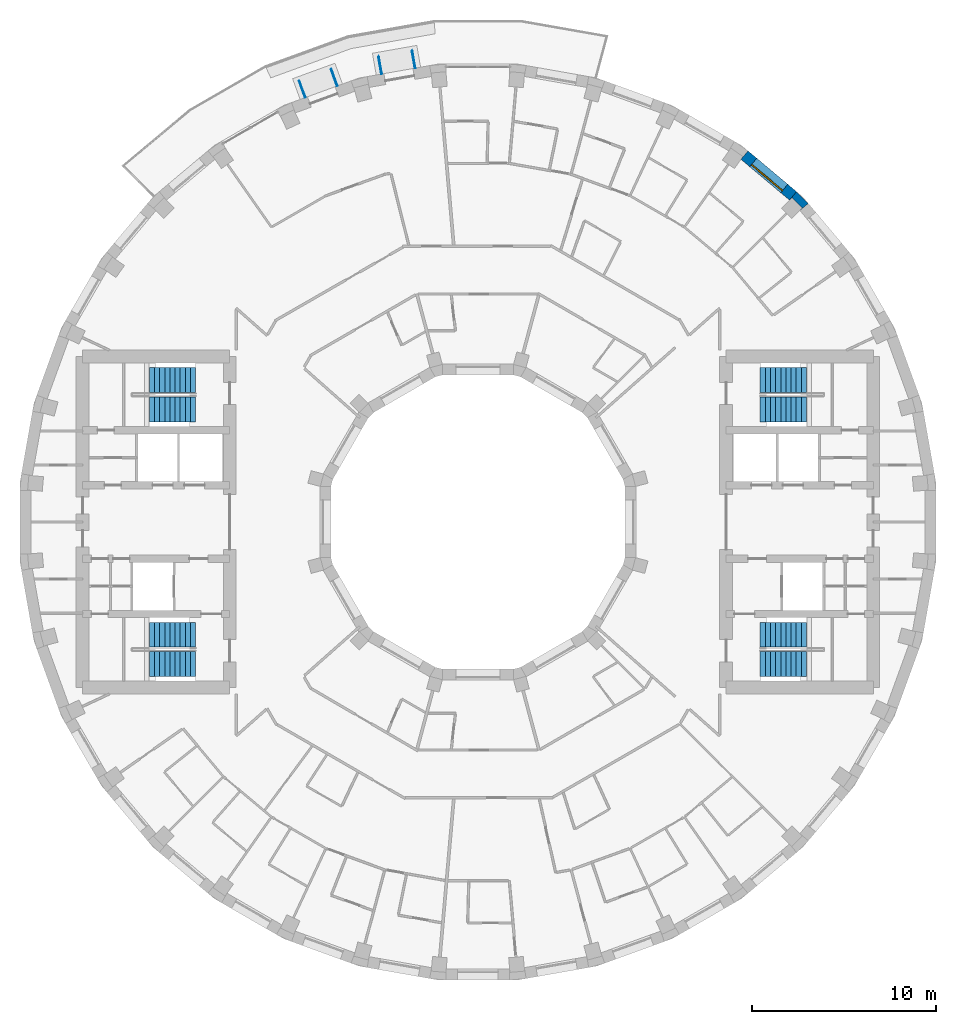
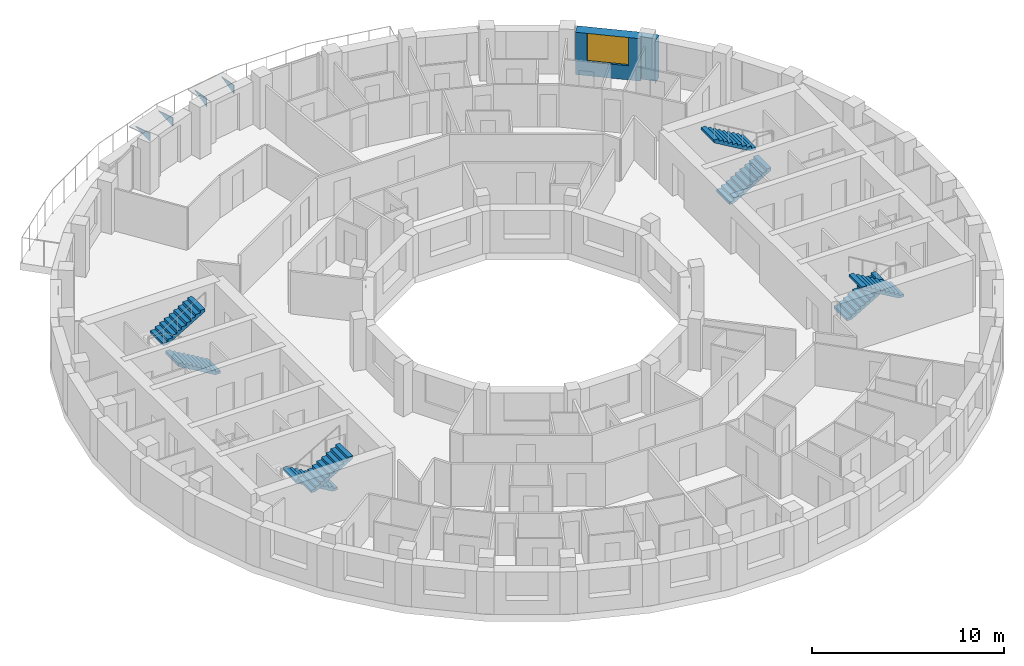
# One storey, part 13 of 14: 8 stair flights, 4 discrete accessories, 2 walls, 1 window, 1 opening, 4 elements without a shape of their own.
"""IFC4 building model written with IfcOpenShell, lengths in metres."""

from ifc_helpers import new_model, si_unit, direction, frame, frame_2d, origin, place, context, subcontext, project, spatial, polyline, rectangle, outline, extrude, material, layer, layer_set, type_object, element, fill, aggregate, save


model = new_model("IFC4")

# Units and contexts
model_context = context("Model", 3, precision=1e-05, world=origin(), true_north=direction((0.0, 1.0)))
body_context = subcontext(model_context, "Body", "Model", "MODEL_VIEW")
ifc_project = project(units=[si_unit("LENGTHUNIT", "METRE"), si_unit("AREAUNIT", "SQUARE_METRE"), si_unit("VOLUMEUNIT", "CUBIC_METRE"), si_unit("PLANEANGLEUNIT", "RADIAN"), si_unit("MASSUNIT", "GRAM", prefix="KILO")], contexts=[model_context])

# Site, building, storey
site_placement = place(None, origin())
site = spatial("IfcSite", under=ifc_project, at=site_placement, CompositionType="ELEMENT")
building_placement = place(site_placement, origin())
building = spatial("IfcBuilding", under=site, at=building_placement, Name="Saqina Gate Tower", CompositionType="ELEMENT")
storey_placement = place(building_placement, frame((0.0, 0.0, 216.89990234375)))
storey = spatial("IfcBuildingStorey", under=building, at=storey_placement, Name="L62", CompositionType="ELEMENT", Elevation=216.89990234375)

# Wall
ifc_material_1 = material(Name="Brick masonry (buff)", Category="masonry")
wall_type_1 = type_object("IfcWallType", Name="BRICK PIER COPING BUFF", PredefinedType="SOLIDWALL", material=ifc_material_1)
wall_1_placement = place(storey_placement, origin())
element("IfcWall", 1, at=wall_1_placement, inside=storey, type_object=wall_type_1, Name="Pier cap L62 column 5", PredefinedType="SOLIDWALL", context=body_context, shape_type="SweptSolid", body=[
    extrude(outline(polyline([(17.329833984375, 17.969482421875), (16.944091796875, 17.510009765625), (17.07666015625, 17.642333984375), (17.642333984375, 17.07666015625), (17.510009765625, 16.944091796875), (17.969482421875, 17.329833984375), (17.329833984375, 17.969482421875)])), origin(), (0.0, 0.0, 1.0), 2.7001953125),
])

# Wall, opening, window
ifc_material_2 = material(Name="Brick masonry (buff)", Category="masonry")
ifc_layer_1 = layer(ifc_material_2, 0.60009765625)
ifc_layer_set_1 = layer_set([ifc_layer_1], Name="FW-BRICK-BUFF")
wall_type_2 = type_object("IfcWallType", Name="FW-BRICK-BUFF", PredefinedType="SOLIDWALL", material=ifc_layer_set_1)
wall_2_placement = place(storey_placement, frame((17.136962890625, 17.73974609375, 0.0), z_axis=(0.0, 0.0, 1.0), x_axis=(-0.766058884809, 0.642770398358, 0.0)))
wall_2 = element("IfcWall", 2, at=wall_2_placement, inside=storey, type_object=wall_type_2, Name="Facade wall L62 facet 5", PredefinedType="SOLIDWALL", context=body_context, shape_type="SweptSolid", body=[
    extrude(rectangle(XDim=3.449462890625, YDim=0.60009765625, at=frame_2d((1.724609375, 0.0))), origin(), (0.0, 0.0, 1.0), 2.7001953125),
])
opening_placement = place(wall_2_placement, frame((0.625, 0.0, 0.89990234375)))
opening = element("IfcOpeningElement", 3, at=opening_placement, cuts=wall_2, Name="Opening G18-W03", PredefinedType="OPENING", context=body_context, shape_type="SweptSolid", body=[
    extrude(rectangle(XDim=2.199951171875, YDim=1.800048828125, at=frame_2d((1.10009765625, 0.89990234375))), frame((0.0, 0.31201171875, 0.0), z_axis=(0.0, -1.0, 0.0), x_axis=(1.0, 0.0, 0.0)), (0.0, 0.0, 1.0), 0.6240234375),
])
ifc_material_3 = material(Name="Aluminium glazing", Category="aluminium")
window_type = type_object("IfcWindowType", Name="WN-C", PartitioningType="SINGLE_PANEL", PredefinedType="WINDOW", material=ifc_material_3)
window_placement = place(opening_placement, origin())
window = element("IfcWindow", 4, at=window_placement, inside=storey, type_object=window_type, Name="Window L62 facet 5", OverallHeight=1.800048828125, OverallWidth=2.199951171875, PartitioningType="SINGLE_PANEL", PredefinedType="WINDOW", context=body_context, shape_type="SweptSolid", body=[
    extrude(rectangle(XDim=2.199951171875, YDim=1.800048828125, at=frame_2d((1.10009765625, 0.89990234375))), frame((0.0, 0.179931640625, 0.0), z_axis=(0.0, -1.0, 0.0), x_axis=(1.0, 0.0, 0.0)), (0.0, 0.0, 1.0), 0.06005859375),
])
fill(opening, window)

# Stair, stair flights
ifc_material_4 = material(Name="Concrete C40/50", Category="concrete")
stair_type = type_object("IfcStairType", Name="EXIT STAIR", PredefinedType="HALF_TURN_STAIR", material=ifc_material_4)
stair_1_placement = place(storey_placement, origin())
stair_1 = element("IfcStair", 5, at=stair_1_placement, inside=storey, type_object=stair_type, Name="EXIT STAIR 1", PredefinedType="HALF_TURN_STAIR")
ifc_material_5 = material(Name="Concrete C40/50", Category="concrete")
stair_flight_type = type_object("IfcStairFlightType", Name="EXIT STAIR FLIGHT", PredefinedType="STRAIGHT", material=ifc_material_5)
stair_flight_1_placement = place(storey_placement, frame((15.35009765625, 6.125, 0.0), z_axis=(0.0, 0.0, 1.0), x_axis=(1.0, 0.0, 0.0)))
stair_flight_1 = element("IfcStairFlight", 6, at=stair_flight_1_placement, type_object=stair_flight_type, Name="EXIT STAIR 1 FLIGHT 1", NumberOfRisers=10, NumberOfTreads=9, PredefinedType="STRAIGHT", RiserHeight=0.165, TreadLength=0.28, context=body_context, shape_type="SweptSolid", body=[
    extrude(outline(polyline([(0.0, 0.0), (0.0, 0.1650390625), (0.280029296875, 0.1650390625), (0.280029296875, 0.330078125), (0.56005859375, 0.330078125), (0.56005859375, 0.4951171875), (0.840087890625, 0.4951171875), (0.840087890625, 0.659912109375), (1.1201171875, 0.659912109375), (1.1201171875, 0.824951171875), (1.39990234375, 0.824951171875), (1.39990234375, 0.989990234375), (1.679931640625, 0.989990234375), (1.679931640625, 1.155029296875), (1.9599609375, 1.155029296875), (1.9599609375, 1.320068359375), (2.239990234375, 1.320068359375), (2.239990234375, 1.485107421875), (2.52001953125, 1.485107421875), (2.52001953125, 1.64990234375), (2.52001953125, 1.31103515625), (0.295166015625, 0.0), (0.0, 0.0)])), frame((0.0, 0.675048828125, 0.0), z_axis=(0.0, -1.0, 0.0), x_axis=(1.0, 0.0, 0.0)), (0.0, 0.0, 1.0), 1.35009765625),
])
stair_flight_2_placement = place(storey_placement, frame((17.8701171875, 7.72509765625, 1.650146484375), z_axis=(0.0, 0.0, 1.0), x_axis=(-1.0, 0.0, 0.0)))
stair_flight_2 = element("IfcStairFlight", 7, at=stair_flight_2_placement, type_object=stair_flight_type, Name="EXIT STAIR 1 FLIGHT 2", NumberOfRisers=10, NumberOfTreads=9, PredefinedType="STRAIGHT", RiserHeight=0.165, TreadLength=0.28, context=body_context, shape_type="SweptSolid", body=[
    extrude(outline(polyline([(0.0, 0.0), (0.0, 0.1650390625), (0.280029296875, 0.1650390625), (0.280029296875, 0.330078125), (0.56005859375, 0.330078125), (0.56005859375, 0.4951171875), (0.840087890625, 0.4951171875), (0.840087890625, 0.659912109375), (1.1201171875, 0.659912109375), (1.1201171875, 0.824951171875), (1.39990234375, 0.824951171875), (1.39990234375, 0.989990234375), (1.679931640625, 0.989990234375), (1.679931640625, 1.155029296875), (1.9599609375, 1.155029296875), (1.9599609375, 1.320068359375), (2.239990234375, 1.320068359375), (2.239990234375, 1.485107421875), (2.52001953125, 1.485107421875), (2.52001953125, 1.64990234375), (2.52001953125, 1.31103515625), (0.295166015625, 0.0), (0.0, 0.0)])), frame((0.0, 0.675048828125, 0.0), z_axis=(0.0, -1.0, 0.0), x_axis=(1.0, 0.0, 0.0)), (0.0, 0.0, 1.0), 1.35009765625),
])
aggregate(stair_1, [stair_flight_1, stair_flight_2])

stair_2_placement = place(storey_placement, origin())
stair_2 = element("IfcStair", 8, at=stair_2_placement, inside=storey, type_object=stair_type, Name="EXIT STAIR 2", PredefinedType="HALF_TURN_STAIR")
stair_flight_3_placement = place(storey_placement, frame((15.35009765625, -6.125, 0.0), z_axis=(0.0, 0.0, 1.0), x_axis=(1.0, 0.0, 0.0)))
stair_flight_3 = element("IfcStairFlight", 9, at=stair_flight_3_placement, type_object=stair_flight_type, Name="EXIT STAIR 2 FLIGHT 1", NumberOfRisers=10, NumberOfTreads=9, PredefinedType="STRAIGHT", RiserHeight=0.165, TreadLength=0.28, context=body_context, shape_type="SweptSolid", body=[
    extrude(outline(polyline([(0.0, 0.0), (0.0, 0.1650390625), (0.280029296875, 0.1650390625), (0.280029296875, 0.330078125), (0.56005859375, 0.330078125), (0.56005859375, 0.4951171875), (0.840087890625, 0.4951171875), (0.840087890625, 0.659912109375), (1.1201171875, 0.659912109375), (1.1201171875, 0.824951171875), (1.39990234375, 0.824951171875), (1.39990234375, 0.989990234375), (1.679931640625, 0.989990234375), (1.679931640625, 1.155029296875), (1.9599609375, 1.155029296875), (1.9599609375, 1.320068359375), (2.239990234375, 1.320068359375), (2.239990234375, 1.485107421875), (2.52001953125, 1.485107421875), (2.52001953125, 1.64990234375), (2.52001953125, 1.31103515625), (0.295166015625, 0.0), (0.0, 0.0)])), frame((0.0, 0.675048828125, 0.0), z_axis=(0.0, -1.0, 0.0), x_axis=(1.0, 0.0, 0.0)), (0.0, 0.0, 1.0), 1.35009765625),
])
stair_flight_4_placement = place(storey_placement, frame((17.8701171875, -7.72509765625, 1.650146484375), z_axis=(0.0, 0.0, 1.0), x_axis=(-1.0, 0.0, 0.0)))
stair_flight_4 = element("IfcStairFlight", 10, at=stair_flight_4_placement, type_object=stair_flight_type, Name="EXIT STAIR 2 FLIGHT 2", NumberOfRisers=10, NumberOfTreads=9, PredefinedType="STRAIGHT", RiserHeight=0.165, TreadLength=0.28, context=body_context, shape_type="SweptSolid", body=[
    extrude(outline(polyline([(0.0, 0.0), (0.0, 0.1650390625), (0.280029296875, 0.1650390625), (0.280029296875, 0.330078125), (0.56005859375, 0.330078125), (0.56005859375, 0.4951171875), (0.840087890625, 0.4951171875), (0.840087890625, 0.659912109375), (1.1201171875, 0.659912109375), (1.1201171875, 0.824951171875), (1.39990234375, 0.824951171875), (1.39990234375, 0.989990234375), (1.679931640625, 0.989990234375), (1.679931640625, 1.155029296875), (1.9599609375, 1.155029296875), (1.9599609375, 1.320068359375), (2.239990234375, 1.320068359375), (2.239990234375, 1.485107421875), (2.52001953125, 1.485107421875), (2.52001953125, 1.64990234375), (2.52001953125, 1.31103515625), (0.295166015625, 0.0), (0.0, 0.0)])), frame((0.0, 0.675048828125, 0.0), z_axis=(0.0, -1.0, 0.0), x_axis=(1.0, 0.0, 0.0)), (0.0, 0.0, 1.0), 1.35009765625),
])
aggregate(stair_2, [stair_flight_3, stair_flight_4])

stair_3_placement = place(storey_placement, origin())
stair_3 = element("IfcStair", 11, at=stair_3_placement, inside=storey, type_object=stair_type, Name="EXIT STAIR 3", PredefinedType="HALF_TURN_STAIR")
stair_flight_5_placement = place(storey_placement, frame((-15.35009765625, 6.125, 0.0), z_axis=(0.0, 0.0, 1.0), x_axis=(-1.0, 0.0, 0.0)))
stair_flight_5 = element("IfcStairFlight", 12, at=stair_flight_5_placement, type_object=stair_flight_type, Name="EXIT STAIR 3 FLIGHT 1", NumberOfRisers=10, NumberOfTreads=9, PredefinedType="STRAIGHT", RiserHeight=0.165, TreadLength=0.28, context=body_context, shape_type="SweptSolid", body=[
    extrude(outline(polyline([(0.0, 0.0), (0.0, 0.1650390625), (0.280029296875, 0.1650390625), (0.280029296875, 0.330078125), (0.56005859375, 0.330078125), (0.56005859375, 0.4951171875), (0.840087890625, 0.4951171875), (0.840087890625, 0.659912109375), (1.1201171875, 0.659912109375), (1.1201171875, 0.824951171875), (1.39990234375, 0.824951171875), (1.39990234375, 0.989990234375), (1.679931640625, 0.989990234375), (1.679931640625, 1.155029296875), (1.9599609375, 1.155029296875), (1.9599609375, 1.320068359375), (2.239990234375, 1.320068359375), (2.239990234375, 1.485107421875), (2.52001953125, 1.485107421875), (2.52001953125, 1.64990234375), (2.52001953125, 1.31103515625), (0.295166015625, 0.0), (0.0, 0.0)])), frame((0.0, 0.675048828125, 0.0), z_axis=(0.0, -1.0, 0.0), x_axis=(1.0, 0.0, 0.0)), (0.0, 0.0, 1.0), 1.35009765625),
])
stair_flight_6_placement = place(storey_placement, frame((-17.8701171875, 7.72509765625, 1.650146484375), z_axis=(0.0, 0.0, 1.0), x_axis=(1.0, 0.0, 0.0)))
stair_flight_6 = element("IfcStairFlight", 13, at=stair_flight_6_placement, type_object=stair_flight_type, Name="EXIT STAIR 3 FLIGHT 2", NumberOfRisers=10, NumberOfTreads=9, PredefinedType="STRAIGHT", RiserHeight=0.165, TreadLength=0.28, context=body_context, shape_type="SweptSolid", body=[
    extrude(outline(polyline([(0.0, 0.0), (0.0, 0.1650390625), (0.280029296875, 0.1650390625), (0.280029296875, 0.330078125), (0.56005859375, 0.330078125), (0.56005859375, 0.4951171875), (0.840087890625, 0.4951171875), (0.840087890625, 0.659912109375), (1.1201171875, 0.659912109375), (1.1201171875, 0.824951171875), (1.39990234375, 0.824951171875), (1.39990234375, 0.989990234375), (1.679931640625, 0.989990234375), (1.679931640625, 1.155029296875), (1.9599609375, 1.155029296875), (1.9599609375, 1.320068359375), (2.239990234375, 1.320068359375), (2.239990234375, 1.485107421875), (2.52001953125, 1.485107421875), (2.52001953125, 1.64990234375), (2.52001953125, 1.31103515625), (0.295166015625, 0.0), (0.0, 0.0)])), frame((0.0, 0.675048828125, 0.0), z_axis=(0.0, -1.0, 0.0), x_axis=(1.0, 0.0, 0.0)), (0.0, 0.0, 1.0), 1.35009765625),
])
aggregate(stair_3, [stair_flight_5, stair_flight_6])

stair_4_placement = place(storey_placement, origin())
stair_4 = element("IfcStair", 14, at=stair_4_placement, inside=storey, type_object=stair_type, Name="EXIT STAIR 4", PredefinedType="HALF_TURN_STAIR")
stair_flight_7_placement = place(storey_placement, frame((-15.35009765625, -6.125, 0.0), z_axis=(0.0, 0.0, 1.0), x_axis=(-1.0, 0.0, 0.0)))
stair_flight_7 = element("IfcStairFlight", 15, at=stair_flight_7_placement, type_object=stair_flight_type, Name="EXIT STAIR 4 FLIGHT 1", NumberOfRisers=10, NumberOfTreads=9, PredefinedType="STRAIGHT", RiserHeight=0.165, TreadLength=0.28, context=body_context, shape_type="SweptSolid", body=[
    extrude(outline(polyline([(0.0, 0.0), (0.0, 0.1650390625), (0.280029296875, 0.1650390625), (0.280029296875, 0.330078125), (0.56005859375, 0.330078125), (0.56005859375, 0.4951171875), (0.840087890625, 0.4951171875), (0.840087890625, 0.659912109375), (1.1201171875, 0.659912109375), (1.1201171875, 0.824951171875), (1.39990234375, 0.824951171875), (1.39990234375, 0.989990234375), (1.679931640625, 0.989990234375), (1.679931640625, 1.155029296875), (1.9599609375, 1.155029296875), (1.9599609375, 1.320068359375), (2.239990234375, 1.320068359375), (2.239990234375, 1.485107421875), (2.52001953125, 1.485107421875), (2.52001953125, 1.64990234375), (2.52001953125, 1.31103515625), (0.295166015625, 0.0), (0.0, 0.0)])), frame((0.0, 0.675048828125, 0.0), z_axis=(0.0, -1.0, 0.0), x_axis=(1.0, 0.0, 0.0)), (0.0, 0.0, 1.0), 1.35009765625),
])
stair_flight_8_placement = place(storey_placement, frame((-17.8701171875, -7.72509765625, 1.650146484375), z_axis=(0.0, 0.0, 1.0), x_axis=(1.0, 0.0, 0.0)))
stair_flight_8 = element("IfcStairFlight", 16, at=stair_flight_8_placement, type_object=stair_flight_type, Name="EXIT STAIR 4 FLIGHT 2", NumberOfRisers=10, NumberOfTreads=9, PredefinedType="STRAIGHT", RiserHeight=0.165, TreadLength=0.28, context=body_context, shape_type="SweptSolid", body=[
    extrude(outline(polyline([(0.0, 0.0), (0.0, 0.1650390625), (0.280029296875, 0.1650390625), (0.280029296875, 0.330078125), (0.56005859375, 0.330078125), (0.56005859375, 0.4951171875), (0.840087890625, 0.4951171875), (0.840087890625, 0.659912109375), (1.1201171875, 0.659912109375), (1.1201171875, 0.824951171875), (1.39990234375, 0.824951171875), (1.39990234375, 0.989990234375), (1.679931640625, 0.989990234375), (1.679931640625, 1.155029296875), (1.9599609375, 1.155029296875), (1.9599609375, 1.320068359375), (2.239990234375, 1.320068359375), (2.239990234375, 1.485107421875), (2.52001953125, 1.485107421875), (2.52001953125, 1.64990234375), (2.52001953125, 1.31103515625), (0.295166015625, 0.0), (0.0, 0.0)])), frame((0.0, 0.675048828125, 0.0), z_axis=(0.0, -1.0, 0.0), x_axis=(1.0, 0.0, 0.0)), (0.0, 0.0, 1.0), 1.35009765625),
])
aggregate(stair_4, [stair_flight_7, stair_flight_8])

# Discrete accessories
ifc_material_6 = material(Name="Galvanised steel", Category="steel")
ifc_layer_2 = layer(ifc_material_6, 0.050048828125)
ifc_layer_set_2 = layer_set([ifc_layer_2], Name="BR-AWNING")
discrete_accessory_type = type_object("IfcDiscreteAccessoryType", Name="BR-AWNING", PredefinedType="BRACKET", material=ifc_layer_set_2)
discrete_accessory_1_placement = place(storey_placement, frame((-3.4384765625, 24.682861328125, 1.97509765625), z_axis=(-0.984813043937, -0.173618168668, 0.0), x_axis=(0.0, 0.0, 1.0)))
element("IfcDiscreteAccessory", 17, at=discrete_accessory_1_placement, inside=storey, type_object=discrete_accessory_type, Name="Awning bracket L62 facet 10", PredefinedType="BRACKET", context=body_context, shape_type="SweptSolid", body=[
    extrude(outline(polyline([(0.0, 0.0), (0.550048828125, 0.0), (0.550048828125, 0.9998031064747768), (0.0, 0.0)])), origin(), (0.0, 0.0, -1.0), 0.050048828125),
])
discrete_accessory_2_placement = place(storey_placement, frame((-5.260009765625, 24.361572265625, 1.97509765625), z_axis=(-0.984778643263, -0.173813186416, 0.0), x_axis=(0.0, 0.0, 1.0)))
element("IfcDiscreteAccessory", 18, at=discrete_accessory_2_placement, inside=storey, type_object=discrete_accessory_type, Name="Awning bracket L62 facet 10", PredefinedType="BRACKET", context=body_context, shape_type="SweptSolid", body=[
    extrude(outline(polyline([(0.0, 0.0), (0.550048828125, 0.0), (0.550048828125, 1.0000859462043912), (0.0, 0.0)])), origin(), (0.0, 0.0, -1.0), 0.050048828125),
])
for number, where, z_axis, x_axis, name in (
    (19, (-7.67236328125, 23.710693359375, 1.97509765625), (-0.939686455819, -0.342037080957, 0.0), (0.0, 0.0, 1.0), "Awning bracket L62 facet 11"),
    (20, (-9.41064453125, 23.077880859375, 1.97509765625), (-0.939686455819, -0.342037080957, 0.0), (0.0, 0.0, 1.0), "Awning bracket L62 facet 11"),
):
    element("IfcDiscreteAccessory", number, at=place(storey_placement, frame(where, z_axis=z_axis, x_axis=x_axis)), inside=storey, type_object=discrete_accessory_type, Name=name, PredefinedType="BRACKET", context=body_context, shape_type="SweptSolid", body=[
        extrude(outline(polyline([(0.0, 0.0), (0.550048828125, 0.0), (0.550048828125, 1.000011503630275), (0.0, 0.0)])), origin(), (0.0, 0.0, -1.0), 0.050048828125),
    ])

save(model, "model.ifc")
